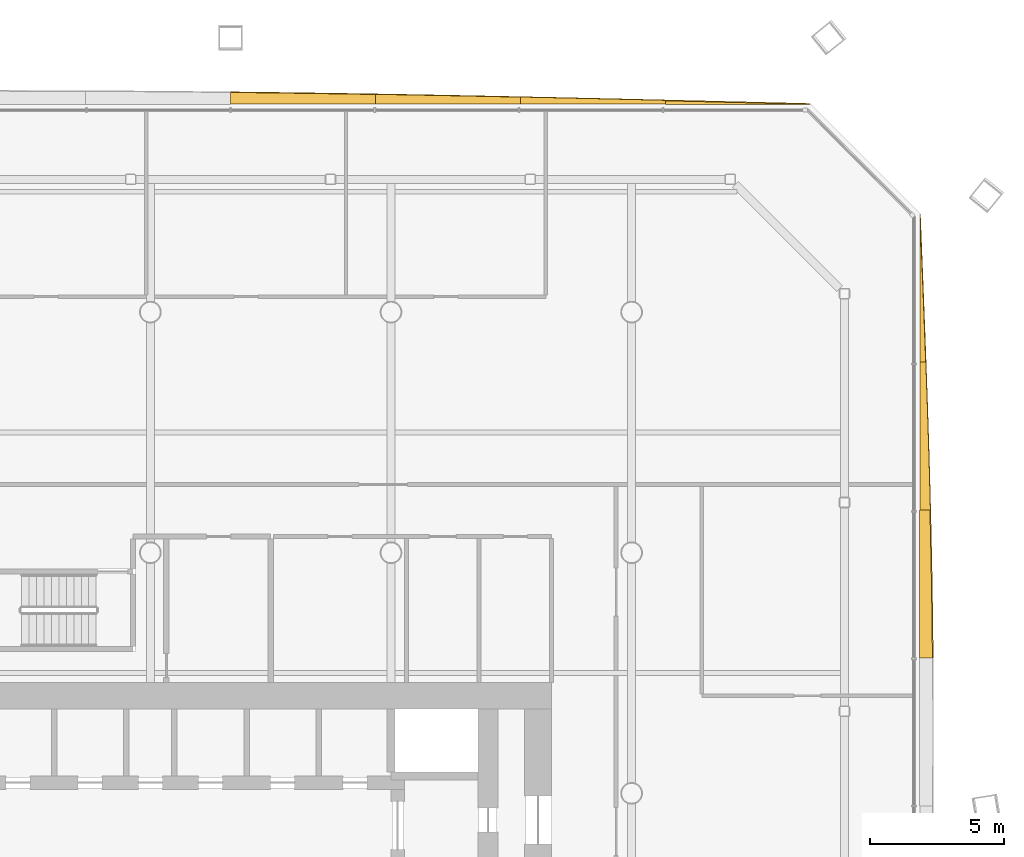
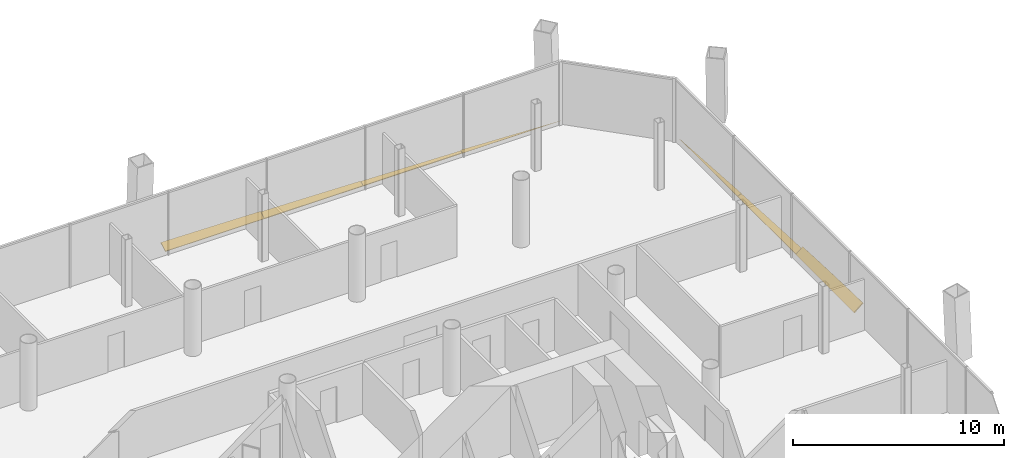
# One storey, part 20 of 20: 7 shading devices.
"""IFC4 building model written with IfcOpenShell, lengths in metres."""

from ifc_helpers import new_model, si_unit, direction, frame, origin, place, context, subcontext, project, spatial, polyline, outline, extrude, material, layer, layer_set, type_object, element, save


model = new_model("IFC4")

# Units and contexts
model_context = context("Model", 3, precision=1e-05, world=origin(), true_north=direction((0.0, 1.0)))
body_context = subcontext(model_context, "Body", "Model", "MODEL_VIEW")
ifc_project = project(units=[si_unit("LENGTHUNIT", "METRE"), si_unit("AREAUNIT", "SQUARE_METRE"), si_unit("VOLUMEUNIT", "CUBIC_METRE"), si_unit("PLANEANGLEUNIT", "RADIAN"), si_unit("MASSUNIT", "GRAM", prefix="KILO")], contexts=[model_context])

# Site, building, storey
site_placement = place(None, origin())
site = spatial("IfcSite", under=ifc_project, at=site_placement, CompositionType="ELEMENT")
building_placement = place(site_placement, origin())
building = spatial("IfcBuilding", under=site, at=building_placement, Name="Tskaro Facet Tower", CompositionType="ELEMENT")
storey_placement = place(building_placement, frame((0.0, 0.0, 69.89990234375)))
storey = spatial("IfcBuildingStorey", under=building, at=storey_placement, Name="L16", CompositionType="ELEMENT", Elevation=69.89990234375)

# Shading devices
ifc_material = material(Name="Bronze anodised aluminium 6063-T6", Category="aluminium")
ifc_layer = layer(ifc_material, 0.06005859375, Name="Bronze anodised aluminium 6063-T6")
ifc_layer_set = layer_set([ifc_layer], Name="Bronze anodised aluminium 6063-T6")
shading_device_type = type_object("IfcShadingDeviceType", Name="Bronze sun blade (FN1)", PredefinedType="USERDEFINED", material=ifc_layer_set)
shading_device_1_placement = place(storey_placement, frame((28.7705078125, 5.060546875, 0.046142578125), z_axis=(-0.642800649772, 1.2525547e-05, 0.766033500897), x_axis=(8.05143e-06, 0.999999999922, -9.594989e-06)))
element("IfcShadingDevice", 1, at=shading_device_1_placement, inside=storey, type_object=shading_device_type, Name="Fin blade east 6", ObjectType="FIN", PredefinedType="USERDEFINED", context=body_context, shape_type="SweptSolid", body=[
    extrude(outline(polyline([(0.0, 0.0), (5.539306640190471, 4.691975229553911e-21), (5.539306641365268, -0.5041165675848984), (4.846923829061884, -0.5257791445148128), (4.154541014334521, -0.5456918670489678), (3.4619140608664027, -0.5638848213326602), (2.769531249907493, -0.5803580073658899), (2.0771484369014477, -0.5947373853532679), (1.3847656257796301, -0.6073969950901834), (0.6923828126106772, -0.6179627967812469), (-6.397295563177475e-10, -0.6266218103241533), (0.0, 0.0)])), origin(), (0.0, 0.0, -1.0), 0.06005859375),
])
shading_device_2_placement = place(storey_placement, frame((28.78857421875, 10.599853515625, 0.056396484375), z_axis=(-0.342424765989, -2.4449502e-05, 0.939545251193), x_axis=(-8.372115e-06, 0.999999999701, 2.2971413e-05)))
element("IfcShadingDevice", 2, at=shading_device_2_placement, inside=storey, type_object=shading_device_type, Name="Fin blade east 7", ObjectType="FIN", PredefinedType="USERDEFINED", context=body_context, shape_type="SweptSolid", body=[
    extrude(outline(polyline([(0.0, 0.0), (5.539062498344435, 9.383536868801546e-21), (5.539062501941761, -0.2284615786037457), (4.846679685104584, -0.2546386689304448), (4.154296874399326, -0.280127615762412), (3.461914060653451, -0.3045318383419186), (2.769531247431242, -0.3281643176302843), (2.077148438820644, -0.35056629129768774), (1.3847656251254559, -0.3721129218775412), (0.6923828124775974, -0.3921160658751129), (-3.210878004640148e-09, -0.41103448562022393), (0.0, 0.0)])), origin(), (0.0, 0.0, -1.0), 0.06005859375),
])
shading_device_3_placement = place(storey_placement, frame((28.78369140625, 16.138916015625, 0.054443359375), z_axis=(-0.422892396754, -8.482635e-06, 0.906179905259), x_axis=(-3.587242e-06, 0.999999999964, 7.686793e-06)))
element("IfcShadingDevice", 3, at=shading_device_3_placement, inside=storey, type_object=shading_device_type, Name="Fin blade east 8", ObjectType="FIN", PredefinedType="USERDEFINED", context=body_context, shape_type="SweptSolid", body=[
    extrude(outline(polyline([(0.0, 0.0), (5.5390624998007185, 2.3458842172003865e-21), (4.8466796869483035, -0.030692823787119638), (4.15429687497168, -0.06116441224579884), (3.461914062995058, -0.09163600070447804), (2.7695312508933596, -0.12156187329222148), (2.077148437790794, -0.15116326533746954), (1.3847656236873616, -0.18044017684022232), (0.6923828122113035, -0.20905338235765372), (-3.906973947055539e-10, -0.23679639146165407), (0.0, 0.0)])), origin(), (0.0, 0.0, -1.0), 0.06005859375),
])
shading_device_4_placement = place(storey_placement, frame((24.677978515625, 25.7705078125, 0.046142578125), z_axis=(-6.2977e-08, -0.642536149761, 0.766255372738), x_axis=(-1.0, 4.0465e-08, -4.8256e-08)))
element("IfcShadingDevice", 4, at=shading_device_4_placement, inside=storey, type_object=shading_device_type, Name="Fin blade north 1", ObjectType="FIN", PredefinedType="USERDEFINED", context=body_context, shape_type="SweptSolid", body=[
    extrude(outline(polyline([(0.0, 0.0), (5.419433593749989, -3.586280319814865e-23), (5.4194335937500435, -0.17364457973221434), (4.741943359372897, -0.15232594341383496), (4.064697265620753, -0.13100730709545558), (3.387207031245509, -0.1093447275342785), (2.7097167968820473, -0.08752527879591356), (2.032226562496925, -0.06567562516912664), (1.3547363281334632, -0.043856176430761694), (0.677490234373341, -0.022006522803974776), (0.0, 0.0)])), origin(), (0.0, 0.0, -1.0), 0.06005859375),
])
shading_device_5_placement = place(storey_placement, frame((19.258544921875, 25.78857421875, 0.056396484375), z_axis=(-2.032308e-05, -0.342666106351, 0.939457257753), x_axis=(-0.999999999793, 6.964031e-06, -1.9092665e-05)))
element("IfcShadingDevice", 5, at=shading_device_5_placement, inside=storey, type_object=shading_device_type, Name="Fin blade north 2", ObjectType="FIN", PredefinedType="USERDEFINED", context=body_context, shape_type="SweptSolid", body=[
    extrude(outline(polyline([(0.0, 0.0), (5.419433592630812, 4.590438809363027e-21), (5.419433595528801, -0.27255593658197497), (4.742187497793693, -0.2570375225898627), (4.064697264094928, -0.2414354498803624), (3.387207031657055, -0.22529099908924197), (2.7097167975189778, -0.20891718861600547), (2.032470704005851, -0.19254337814276895), (1.3549804664673681, -0.17571084830530032), (0.6774902335901809, -0.15879465975044368), (-9.872091522799518e-10, -0.14164911151347098), (0.0, 0.0)])), origin(), (0.0, 0.0, -1.0), 0.06005859375),
])
shading_device_6_placement = place(storey_placement, frame((13.839111328125, 25.78369140625, 0.054443359375), z_axis=(3.423687e-06, -0.422785357652, 0.906229850172), x_axis=(-0.999999999994, -1.447485e-06, 3.102647e-06)))
element("IfcShadingDevice", 6, at=shading_device_6_placement, inside=storey, type_object=shading_device_type, Name="Fin blade north 3", ObjectType="FIN", PredefinedType="USERDEFINED", context=body_context, shape_type="SweptSolid", body=[
    extrude(outline(polyline([(0.0, 0.0), (5.419677734343237, 0.0), (5.4196777342410405, -0.3973548230171606), (4.742187500168112, -0.38446412216830195), (4.064697265691093, -0.3712489547159687), (3.3872070311633693, -0.35748807313814474), (2.709960937209943, -0.3431814774348302), (2.0324707029849076, -0.32865363420949956), (1.3549804687091698, -0.31358007685867834), (0.6774902347868215, -0.2982852719858411), (-2.971013445370984e-10, -0.2825627814280705), (0.0, 0.0)])), origin(), (0.0, 0.0, -1.0), 0.06005859375),
])
shading_device_7_placement = place(storey_placement, frame((8.41943359375, 25.779052734375, 0.052001953125), z_axis=(3.324601e-06, -0.500058021935, 0.865991902206), x_axis=(-0.999999999994, -1.662494e-06, 2.879078e-06)))
element("IfcShadingDevice", 7, at=shading_device_7_placement, inside=storey, type_object=shading_device_type, Name="Fin blade north 4", ObjectType="FIN", PredefinedType="USERDEFINED", context=body_context, shape_type="SweptSolid", body=[
    extrude(outline(polyline([(0.0, 0.0), (5.41943359372005, 0.0), (5.419433593989336, -0.5046839598735413), (4.741943359251213, -0.4955987930552839), (4.064453125027838, -0.48575727034626204), (3.3872070311324434, -0.4755822393549772), (2.709716797126797, -0.46465085247292764), (2.032226562121233, -0.453263872830603), (1.3547363283333163, -0.4412426217755259), (0.67749023417048, -0.4287657779601737), (1.9440989763613445e-10, -0.41586608653631985), (0.0, 0.0)])), origin(), (0.0, 0.0, -1.0), 0.06005859375),
])

save(model, "model.ifc")
